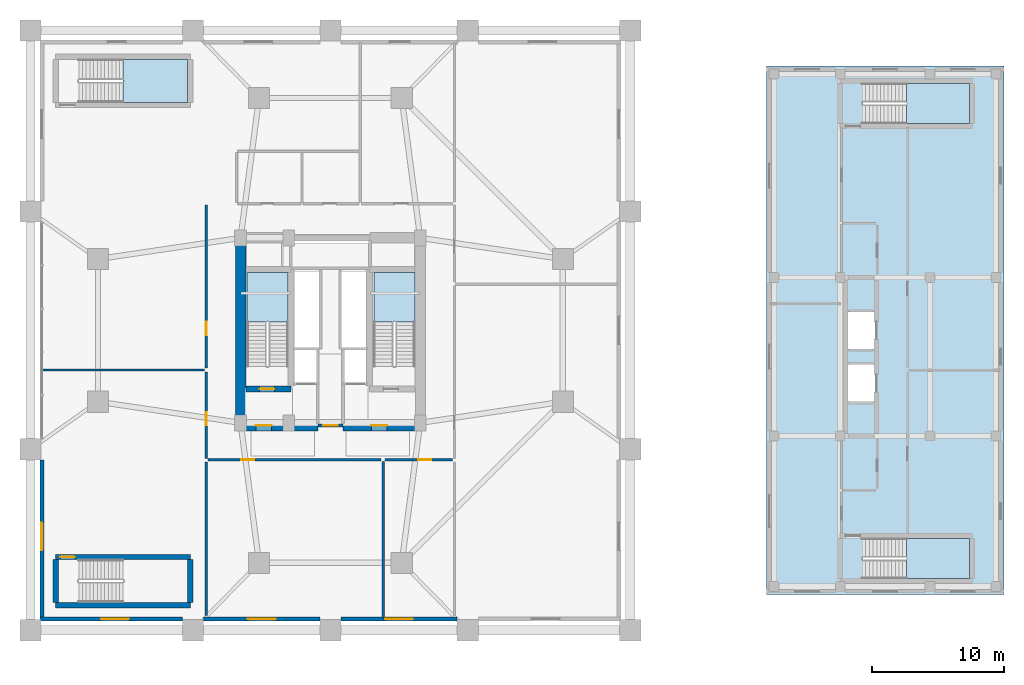
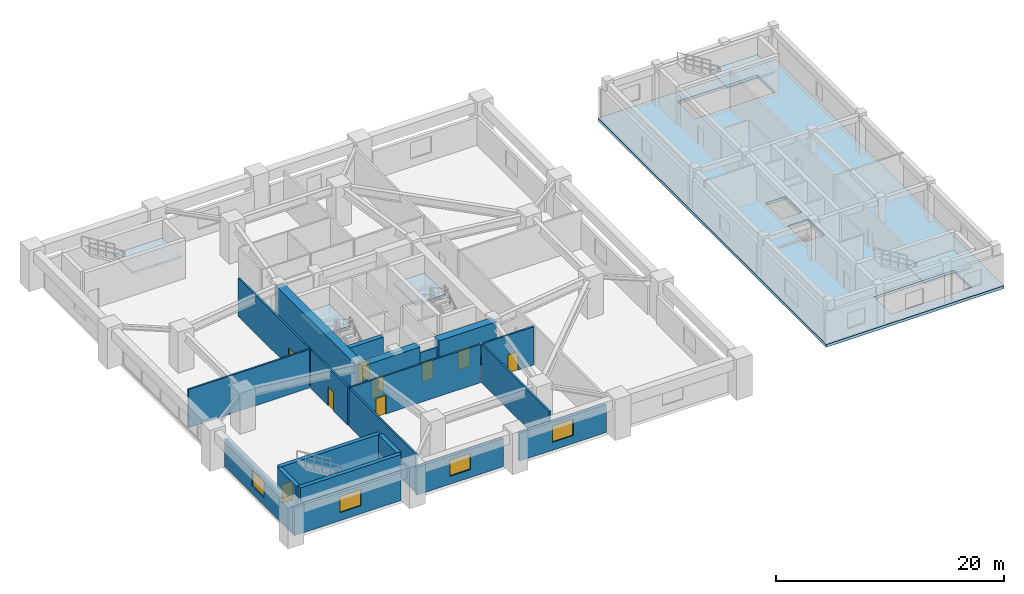
# One storey, part 8 of 16: 20 walls, 9 doors, 6 slabs, 4 windows, 13 openings, 5 elements without a shape of their own.
"""IFC4 building model written with IfcOpenShell, lengths in metres."""

from ifc_helpers import new_model, si_unit, direction, frame, frame_2d, origin, place, context, subcontext, project, spatial, polyline, rectangle, outline, extrude, source, transform, mapped, material, layer, layer_set, type_object, element, fill, aggregate, save


model = new_model("IFC4")

# Units and contexts
model_context = context("Model", 3, precision=1e-05, world=origin(), true_north=direction((0.0, 1.0)))
body_context = subcontext(model_context, "Body", "Model", "MODEL_VIEW")
ifc_project = project(units=[si_unit("LENGTHUNIT", "METRE"), si_unit("AREAUNIT", "SQUARE_METRE"), si_unit("VOLUMEUNIT", "CUBIC_METRE"), si_unit("PLANEANGLEUNIT", "RADIAN"), si_unit("MASSUNIT", "GRAM", prefix="KILO")], contexts=[model_context])

# Site, building, storey
site_placement = place(None, origin())
site = spatial("IfcSite", under=ifc_project, at=site_placement, CompositionType="ELEMENT")
building_placement = place(site_placement, origin())
building = spatial("IfcBuilding", under=site, at=building_placement, Name="Veraguas Prism Commons", CompositionType="ELEMENT")
storey_placement = place(building_placement, frame((0.0, 0.0, 9.60009765625)))
storey = spatial("IfcBuildingStorey", under=building, at=storey_placement, Name="L02", CompositionType="ELEMENT", Elevation=9.60009765625)

# Slab
ifc_material_1 = material(Name="Concrete C45/55", Category="concrete")
ifc_layer_1 = layer(ifc_material_1, 0.300048828125, Name="Podium Concourse and Clinic Slab RC 300", Category="concrete")
ifc_layer_set_1 = layer_set([ifc_layer_1], Name="Concrete C45/55")
slab_type_1 = type_object("IfcSlabType", Name="Podium Concourse and Clinic Slab RC 300", PredefinedType="FLOOR", material=ifc_layer_set_1)
slab_1_placement = place(storey_placement, frame((0.0, 0.0, -0.300048828125)))
element("IfcSlab", 1, at=slab_1_placement, inside=storey, type_object=slab_type_1, Name="Health Centre Floor Slab L02", PredefinedType="FLOOR", context=body_context, shape_type="SweptSolid", body=[
    extrude(outline(polyline([(57.0, 4.0), (75.0, 4.0), (75.0, 44.0), (57.0, 44.0), (57.0, 4.0)]), holes=[polyline([(64.280029296875, 5.199951171875), (72.39990234375, 5.199951171875), (72.39990234375, 8.25), (64.280029296875, 8.25), (64.280029296875, 5.199951171875)]), polyline([(64.280029296875, 39.659912109375), (72.39990234375, 39.659912109375), (72.39990234375, 42.7099609375), (64.280029296875, 42.7099609375), (64.280029296875, 39.659912109375)]), polyline([(63.199951171875, 18.60009765625), (65.25, 18.60009765625), (65.25, 21.39990234375), (63.199951171875, 21.39990234375), (63.199951171875, 18.60009765625)]), polyline([(63.199951171875, 22.60009765625), (65.25, 22.60009765625), (65.25, 25.39990234375), (63.199951171875, 25.39990234375), (63.199951171875, 22.60009765625)])]), origin(), (0.0, 0.0, 1.0), 0.300048828125),
])

# Stair, slab
ifc_material_2 = material(Name="Precast concrete C45/55", Category="concrete")
stair_type_1 = type_object("IfcStairType", Name="Dogleg Core Stair 1480W 26R 03", PredefinedType="HALF_TURN_STAIR", material=ifc_material_2)
stair_1_placement = place(storey_placement, origin())
stair_1 = element("IfcStair", 2, at=stair_1_placement, inside=storey, type_object=stair_type_1, Name="Protected Exit Stair ST-01 L02", PredefinedType="HALF_TURN_STAIR")
ifc_layer_2 = layer(ifc_material_2, 0.199951171875, Name="Precast Stair and Ramp Landing Slab 200", Category="concrete")
ifc_layer_set_2 = layer_set([ifc_layer_2], Name="Precast concrete C45/55")
slab_type_2 = type_object("IfcSlabType", Name="Precast Stair and Ramp Landing Slab 200", PredefinedType="LANDING", material=ifc_layer_set_2)
slab_2_placement = place(storey_placement, frame((0.0, 0.0, 2.0)))
slab_2 = element("IfcSlab", 3, at=slab_2_placement, type_object=slab_type_2, Name="ST-03 Landing 1", PredefinedType="LANDING", context=body_context, shape_type="SweptSolid", body=[
    extrude(outline(polyline([(20.800048828125, 24.639892578125), (20.800048828125, 28.39990234375), (17.68994140625, 28.39990234375), (17.68994140625, 24.639892578125), (20.800048828125, 24.639892578125)])), origin(), (0.0, 0.0, 1.0), 0.199951171875),
])
aggregate(stair_1, [slab_2])

stair_2_placement = place(storey_placement, origin())
stair_2 = element("IfcStair", 4, at=stair_2_placement, inside=storey, type_object=stair_type_1, Name="Protected Exit Stair ST-02 L02", PredefinedType="HALF_TURN_STAIR")
slab_3_placement = place(storey_placement, frame((0.0, 0.0, 2.0)))
slab_3 = element("IfcSlab", 5, at=slab_3_placement, type_object=slab_type_2, Name="ST-03 Landing 1", PredefinedType="LANDING", context=body_context, shape_type="SweptSolid", body=[
    extrude(outline(polyline([(30.39990234375, 24.639892578125), (30.39990234375, 28.39990234375), (27.2900390625, 28.39990234375), (27.2900390625, 24.639892578125), (30.39990234375, 24.639892578125)])), origin(), (0.0, 0.0, 1.0), 0.199951171875),
])
aggregate(stair_2, [slab_3])

stair_type_2 = type_object("IfcStairType", Name="Dogleg Core Stair 1550W 26R 11", PredefinedType="HALF_TURN_STAIR", material=ifc_material_2)
stair_3_placement = place(storey_placement, origin())
stair_3 = element("IfcStair", 6, at=stair_3_placement, inside=storey, type_object=stair_type_2, Name="Protected Exit Stair ST-M2 L02", PredefinedType="HALF_TURN_STAIR")
slab_4_placement = place(storey_placement, frame((0.0, 0.0, 2.0)))
slab_4 = element("IfcSlab", 7, at=slab_4_placement, type_object=slab_type_2, Name="ST-11 Landing 1", PredefinedType="LANDING", context=body_context, shape_type="SweptSolid", body=[
    extrude(outline(polyline([(8.31005859375, 41.260009765625), (13.199951171875, 41.260009765625), (13.199951171875, 44.510009765625), (8.31005859375, 44.510009765625), (8.31005859375, 41.260009765625)])), origin(), (0.0, 0.0, 1.0), 0.199951171875),
])
aggregate(stair_3, [slab_4])

stair_type_3 = type_object("IfcStairType", Name="Dogleg Core Stair 1450W 26R 14", PredefinedType="HALF_TURN_STAIR", material=ifc_material_2)
stair_4_placement = place(storey_placement, origin())
stair_4 = element("IfcStair", 8, at=stair_4_placement, inside=storey, type_object=stair_type_3, Name="Protected Exit Stair ST-H1 L02", PredefinedType="HALF_TURN_STAIR")
slab_5_placement = place(storey_placement, frame((0.0, 0.0, 2.0)))
slab_5 = element("IfcSlab", 9, at=slab_5_placement, type_object=slab_type_2, Name="ST-14 Landing 1", PredefinedType="LANDING", context=body_context, shape_type="SweptSolid", body=[
    extrude(outline(polyline([(67.610107421875, 5.199951171875), (72.39990234375, 5.199951171875), (72.39990234375, 8.25), (67.610107421875, 8.25), (67.610107421875, 5.199951171875)])), origin(), (0.0, 0.0, 1.0), 0.199951171875),
])
aggregate(stair_4, [slab_5])

stair_5_placement = place(storey_placement, origin())
stair_5 = element("IfcStair", 10, at=stair_5_placement, inside=storey, type_object=stair_type_3, Name="Protected Exit Stair ST-H2 L02", PredefinedType="HALF_TURN_STAIR")
slab_6_placement = place(storey_placement, frame((0.0, 0.0, 2.0)))
slab_6 = element("IfcSlab", 11, at=slab_6_placement, type_object=slab_type_2, Name="ST-14 Landing 1", PredefinedType="LANDING", context=body_context, shape_type="SweptSolid", body=[
    extrude(outline(polyline([(67.610107421875, 39.659912109375), (72.39990234375, 39.659912109375), (72.39990234375, 42.7099609375), (67.610107421875, 42.7099609375), (67.610107421875, 39.659912109375)])), origin(), (0.0, 0.0, 1.0), 0.199951171875),
])
aggregate(stair_5, [slab_6])

# Wall
ifc_material_3 = material(Name="Concrete C50/60", Category="concrete")
ifc_layer_3 = layer(ifc_material_3, 0.39990234375, Name="Clinic and Mid Core Shear Wall RC 400", Category="concrete")
ifc_layer_set_3 = layer_set([ifc_layer_3], Name="Concrete C50/60")
wall_type_1 = type_object("IfcWallType", Name="Clinic and Mid Core Shear Wall RC 400", PredefinedType="SHEAR", material=ifc_layer_set_3)
wall_1_placement = place(storey_placement, frame((3.199951171875, 3.199951171875, 0.0), z_axis=(0.0, 0.0, 1.0), x_axis=(1.0, 0.0, 0.0)))
element("IfcWall", 12, at=wall_1_placement, inside=storey, type_object=wall_type_1, Name="ST-M1 South Shear Wall L02", PredefinedType="SHEAR", context=body_context, shape_type="SweptSolid", body=[
    extrude(rectangle(XDim=10.199951171875, YDim=0.39990234375, at=frame_2d((5.10009765625, 0.0))), origin(), (0.0, 0.0, 1.0), 4.099853515625),
])

# Wall, opening, door
wall_2_placement = place(storey_placement, frame((3.199951171875, 6.85009765625, 0.0), z_axis=(0.0, 0.0, 1.0), x_axis=(1.0, 0.0, 0.0)))
wall_2 = element("IfcWall", 13, at=wall_2_placement, inside=storey, type_object=wall_type_1, Name="ST-M1 North Shear Wall L02", PredefinedType="SHEAR", context=body_context, shape_type="SweptSolid", body=[
    extrude(rectangle(XDim=10.199951171875, YDim=0.39990234375, at=frame_2d((5.10009765625, 0.0))), origin(), (0.0, 0.0, 1.0), 4.099853515625),
])
opening_1_placement = place(wall_2_placement, frame((0.35009765625, 0.0, 0.0)))
opening_1 = element("IfcOpeningElement", 14, at=opening_1_placement, cuts=wall_2, Name="Opening DR-05", PredefinedType="OPENING", context=body_context, shape_type="SweptSolid", body=[
    extrude(rectangle(XDim=1.10009765625, YDim=2.030029296875, at=frame_2d((0.550048828125, 1.01513671875))), frame((0.0, 0.2099609375, 0.0), z_axis=(0.0, -1.0, 0.0), x_axis=(1.0, 0.0, 0.0)), (0.0, 0.0, 1.0), 0.419921875),
])
ifc_material_4 = material(Name="Steel fire-rated door assembly", Category="steel")
door_type_1 = type_object("IfcDoorType", Name="Protected Stair and Refuge Fire Door 1100x2030", OperationType="NOTDEFINED", PredefinedType="DOOR", material=ifc_material_4)
shared_shape_1 = source(origin(), body_context, "Body", "SweptSolid", [
    extrude(rectangle(XDim=1.10009765625, YDim=2.030029296875, at=frame_2d((0.550048828125, 1.01513671875))), frame((0.0, 0.02490234375, 0.0), z_axis=(0.0, -1.0, 0.0), x_axis=(1.0, 0.0, 0.0)), (0.0, 0.0, 1.0), 0.050048828125),
])
door_1_placement = place(opening_1_placement, origin())
door_1 = element("IfcDoor", 15, at=door_1_placement, inside=storey, type_object=door_type_1, Name="Metro Stair ST-M1 Door L02", OperationType="SINGLE_SWING_LEFT", OverallHeight=2.030029296875, OverallWidth=1.10009765625, PredefinedType="DOOR", context=body_context, shape_type="MappedRepresentation", body=[
    mapped(shared_shape_1, transform((0.0, 0.0, 0.0), scale=1.0)),
])
fill(opening_1, door_1)

# Walls
for number, where, z_axis, x_axis, name in (
    (16, (3.199951171875, 3.39990234375, 0.0), (0.0, 0.0, 1.0), (0.0, 1.0, 0.0), "ST-M1 West Shear Wall L02"),
    (17, (13.39990234375, 3.39990234375, 0.0), (0.0, 0.0, 1.0), (0.0, 1.0, 0.0), "ST-M1 East Shear Wall L02"),
):
    element("IfcWall", number, at=place(storey_placement, frame(where, z_axis=z_axis, x_axis=x_axis)), inside=storey, type_object=wall_type_1, Name=name, PredefinedType="SHEAR", context=body_context, shape_type="SweptSolid", body=[
        extrude(rectangle(XDim=3.25, YDim=0.39990234375, at=frame_2d((1.625, 0.0))), origin(), (0.0, 0.0, 1.0), 4.099853515625),
    ])

# Wall, opening, door
ifc_material_5 = material(Name="Concrete C60/75", Category="concrete")
ifc_layer_4 = layer(ifc_material_5, 0.449951171875, Name="Core Internal Shear Wall Lower RC 450", Category="concrete")
ifc_layer_set_4 = layer_set([ifc_layer_4], Name="Concrete C60/75")
wall_type_2 = type_object("IfcWallType", Name="Core Internal Shear Wall Lower RC 450", PredefinedType="SHEAR", material=ifc_layer_set_4)
wall_3_placement = place(storey_placement, frame((17.60009765625, 19.574951171875, 0.0), z_axis=(0.0, 0.0, 1.0), x_axis=(1.0, 0.0, 0.0)))
wall_3 = element("IfcWall", 18, at=wall_3_placement, inside=storey, type_object=wall_type_2, Name="Stair ST-01 South Shear Wall L02", PredefinedType="SHEAR", context=body_context, shape_type="SweptSolid", body=[
    extrude(rectangle(XDim=3.4248046875, YDim=0.449951171875, at=frame_2d((1.71240234375, 0.0))), origin(), (0.0, 0.0, 1.0), 4.099853515625),
])
opening_2_placement = place(wall_3_placement, frame((1.050048828125, 0.0, 0.0)))
opening_2 = element("IfcOpeningElement", 19, at=opening_2_placement, cuts=wall_3, Name="Opening DR-05", PredefinedType="OPENING", context=body_context, shape_type="SweptSolid", body=[
    extrude(rectangle(XDim=1.10009765625, YDim=2.030029296875, at=frame_2d((0.550048828125, 1.01513671875))), frame((0.0, 0.23486328125, 0.0), z_axis=(0.0, -1.0, 0.0), x_axis=(1.0, 0.0, 0.0)), (0.0, 0.0, 1.0), 0.469970703125),
])
door_2_placement = place(opening_2_placement, origin())
door_2 = element("IfcDoor", 20, at=door_2_placement, inside=storey, type_object=door_type_1, Name="Stair ST-01 Enclosure Door L02", OperationType="SINGLE_SWING_LEFT", OverallHeight=2.030029296875, OverallWidth=1.10009765625, PredefinedType="DOOR", context=body_context, shape_type="MappedRepresentation", body=[
    mapped(shared_shape_1, transform((0.0, 0.0, 0.0), scale=1.0)),
])
fill(opening_2, door_2)

# Wall
ifc_layer_5 = layer(ifc_material_5, 0.800048828125, Name="Core Outer Shear Wall Lower RC 800", Category="concrete")
ifc_layer_set_5 = layer_set([ifc_layer_5], Name="Concrete C60/75")
wall_type_3 = type_object("IfcWallType", Name="Core Outer Shear Wall Lower RC 800", PredefinedType="SHEAR", material=ifc_layer_set_5)
wall_4_placement = place(storey_placement, frame((17.199951171875, 16.800048828125, 0.0), z_axis=(0.0, 0.0, 1.0), x_axis=(0.0, 1.0, 0.0)))
element("IfcWall", 21, at=wall_4_placement, inside=storey, type_object=wall_type_3, Name="Central Core West Shear Wall L02", PredefinedType="SHEAR", context=body_context, shape_type="SweptSolid", body=[
    extrude(rectangle(XDim=14.199951171875, YDim=0.800048828125, at=frame_2d((7.10009765625, 0.0))), origin(), (0.0, 0.0, 1.0), 4.099853515625),
])

# Wall, opening, door
wall_5_placement = place(storey_placement, frame((17.199951171875, 16.800048828125, 0.0), z_axis=(0.0, 0.0, 1.0), x_axis=(1.0, 0.0, 0.0)))
wall_5 = element("IfcWall", 22, at=wall_5_placement, inside=storey, type_object=wall_type_3, Name="Central Core South-West Shear Wall L02", PredefinedType="SHEAR", context=body_context, shape_type="SweptSolid", body=[
    extrude(rectangle(XDim=5.85009765625, YDim=0.800048828125, at=frame_2d((2.925048828125, 0.0))), origin(), (0.0, 0.0, 1.0), 4.099853515625),
])
opening_3_placement = place(wall_5_placement, frame((1.14990234375, 0.0, 0.0)))
opening_3 = element("IfcOpeningElement", 23, at=opening_3_placement, cuts=wall_5, Name="Opening DR-06", PredefinedType="OPENING", context=body_context, shape_type="SweptSolid", body=[
    extrude(rectangle(XDim=1.199951171875, YDim=2.030029296875, at=frame_2d((0.60009765625, 1.01513671875))), frame((0.0, 0.409912109375, 0.0), z_axis=(0.0, -1.0, 0.0), x_axis=(1.0, 0.0, 0.0)), (0.0, 0.0, 1.0), 0.820068359375),
])
door_type_2 = type_object("IfcDoorType", Name="Firefighting Lobby Smoke Door 1200x2030", OperationType="NOTDEFINED", PredefinedType="DOOR", material=ifc_material_4)
shared_shape_2 = source(origin(), body_context, "Body", "SweptSolid", [
    extrude(rectangle(XDim=1.199951171875, YDim=2.030029296875, at=frame_2d((0.60009765625, 1.01513671875))), frame((0.0, 0.02490234375, 0.0), z_axis=(0.0, -1.0, 0.0), x_axis=(1.0, 0.0, 0.0)), (0.0, 0.0, 1.0), 0.050048828125),
])
door_3_placement = place(opening_3_placement, origin())
door_3 = element("IfcDoor", 24, at=door_3_placement, inside=storey, type_object=door_type_2, Name="West FF Lobby Door L02", OperationType="SINGLE_SWING_RIGHT", OverallHeight=2.030029296875, OverallWidth=1.199951171875, PredefinedType="DOOR", context=body_context, shape_type="MappedRepresentation", body=[
    mapped(shared_shape_2, transform((0.0, 0.0, 0.0), scale=1.0)),
])
fill(opening_3, door_3)

wall_6_placement = place(storey_placement, frame((24.949951171875, 16.800048828125, 0.0), z_axis=(0.0, 0.0, 1.0), x_axis=(1.0, 0.0, 0.0)))
wall_6 = element("IfcWall", 25, at=wall_6_placement, inside=storey, type_object=wall_type_3, Name="Central Core South-East Shear Wall L02", PredefinedType="SHEAR", context=body_context, shape_type="SweptSolid", body=[
    extrude(rectangle(XDim=5.85009765625, YDim=0.800048828125, at=frame_2d((2.925048828125, 0.0))), origin(), (0.0, 0.0, 1.0), 4.099853515625),
])
opening_4_placement = place(wall_6_placement, frame((2.14990234375, 0.0, 0.0)))
opening_4 = element("IfcOpeningElement", 26, at=opening_4_placement, cuts=wall_6, Name="Opening DR-06", PredefinedType="OPENING", context=body_context, shape_type="SweptSolid", body=[
    extrude(rectangle(XDim=1.199951171875, YDim=2.030029296875, at=frame_2d((0.60009765625, 1.01513671875))), frame((0.0, 0.409912109375, 0.0), z_axis=(0.0, -1.0, 0.0), x_axis=(1.0, 0.0, 0.0)), (0.0, 0.0, 1.0), 0.820068359375),
])
door_4_placement = place(opening_4_placement, origin())
door_4 = element("IfcDoor", 27, at=door_4_placement, inside=storey, type_object=door_type_2, Name="East FF Lobby Door L02", OperationType="SINGLE_SWING_RIGHT", OverallHeight=2.030029296875, OverallWidth=1.199951171875, PredefinedType="DOOR", context=body_context, shape_type="MappedRepresentation", body=[
    mapped(shared_shape_2, transform((0.0, 0.0, 0.0), scale=1.0)),
])
fill(opening_4, door_4)

ifc_material_6 = material(Name="Autoclaved aerated masonry block 10 MPa", Category="masonry")
ifc_layer_6 = layer(ifc_material_6, 0.179931640625, Name="Corridor and Inter-Tenancy Partition 180", Category="masonry")
ifc_layer_set_6 = layer_set([ifc_layer_6], Name="Autoclaved aerated masonry block 10 MPa")
wall_type_4 = type_object("IfcWallType", Name="Corridor and Inter-Tenancy Partition 180", PredefinedType="PARTITIONING", material=ifc_layer_set_6)
wall_7_placement = place(storey_placement, frame((14.60009765625, 14.300048828125, 0.0), z_axis=(0.0, 0.0, 1.0), x_axis=(0.0, 1.0, 0.0)))
wall_7 = element("IfcWall", 28, at=wall_7_placement, inside=storey, type_object=wall_type_4, Name="WL-L02-PDPT01", PredefinedType="PARTITIONING", context=body_context, shape_type="SweptSolid", body=[
    extrude(rectangle(XDim=6.550048828125, YDim=0.179931640625, at=frame_2d((3.27490234375, 0.0))), origin(), (0.0, 0.0, 1.0), 4.099853515625),
])
opening_5_placement = place(wall_7_placement, frame((2.5, 0.0, 0.0)))
opening_5 = element("IfcOpeningElement", 29, at=opening_5_placement, cuts=wall_7, Name="Opening DR-13", PredefinedType="OPENING", context=body_context, shape_type="SweptSolid", body=[
    extrude(rectangle(XDim=1.0, YDim=2.010009765625, at=frame_2d((0.5, 1.0048828125))), frame((0.0, 0.099853515625, 0.0), z_axis=(0.0, -1.0, 0.0), x_axis=(1.0, 0.0, 0.0)), (0.0, 0.0, 1.0), 0.199951171875),
])
door_type_3 = type_object("IfcDoorType", Name="Core Accessible WC and Clinic Fire Door 1000x2010", OperationType="NOTDEFINED", PredefinedType="DOOR", material=ifc_material_4)
shared_shape_3 = source(origin(), body_context, "Body", "SweptSolid", [
    extrude(rectangle(XDim=1.0, YDim=2.010009765625, at=frame_2d((0.5, 1.0048828125))), frame((0.0, 0.02490234375, 0.0), z_axis=(0.0, -1.0, 0.0), x_axis=(1.0, 0.0, 0.0)), (0.0, 0.0, 1.0), 0.050048828125),
])
door_5_placement = place(opening_5_placement, origin())
door_5 = element("IfcDoor", 30, at=door_5_placement, inside=storey, type_object=door_type_3, Name="Vocational Training Studio Door", OperationType="SINGLE_SWING_LEFT", OverallHeight=2.010009765625, OverallWidth=1.0, PredefinedType="DOOR", context=body_context, shape_type="MappedRepresentation", body=[
    mapped(shared_shape_3, transform((0.0, 0.0, 0.0), scale=1.0)),
])
fill(opening_5, door_5)

wall_8_placement = place(storey_placement, frame((14.60009765625, 21.14990234375, 0.0), z_axis=(0.0, 0.0, 1.0), x_axis=(0.0, 1.0, 0.0)))
wall_8 = element("IfcWall", 31, at=wall_8_placement, inside=storey, type_object=wall_type_4, Name="WL-L02-PDPT02", PredefinedType="PARTITIONING", context=body_context, shape_type="SweptSolid", body=[
    extrude(rectangle(XDim=12.35009765625, YDim=0.179931640625, at=frame_2d((6.175048828125, 0.0))), origin(), (0.0, 0.0, 1.0), 4.099853515625),
])
opening_6_placement = place(wall_8_placement, frame((2.5, 0.0, 0.0)))
opening_6 = element("IfcOpeningElement", 32, at=opening_6_placement, cuts=wall_8, Name="Opening DR-13", PredefinedType="OPENING", context=body_context, shape_type="SweptSolid", body=[
    extrude(rectangle(XDim=1.0, YDim=2.010009765625, at=frame_2d((0.5, 1.0048828125))), frame((0.0, 0.099853515625, 0.0), z_axis=(0.0, -1.0, 0.0), x_axis=(1.0, 0.0, 0.0)), (0.0, 0.0, 1.0), 0.199951171875),
])
door_6_placement = place(opening_6_placement, origin())
door_6 = element("IfcDoor", 33, at=door_6_placement, inside=storey, type_object=door_type_3, Name="Digital Fab-Lab Classroom Door", OperationType="SINGLE_SWING_RIGHT", OverallHeight=2.010009765625, OverallWidth=1.0, PredefinedType="DOOR", context=body_context, shape_type="MappedRepresentation", body=[
    mapped(shared_shape_3, transform((0.0, 0.0, 0.0), scale=1.0)),
])
fill(opening_6, door_6)

# Walls
wall_9_placement = place(storey_placement, frame((2.219970703125, 21.0, 0.0), z_axis=(0.0, 0.0, 1.0), x_axis=(1.0, 0.0, 0.0)))
element("IfcWall", 34, at=wall_9_placement, inside=storey, type_object=wall_type_4, Name="WL-L02-PDPT03", PredefinedType="PARTITIONING", context=body_context, shape_type="SweptSolid", body=[
    extrude(rectangle(XDim=12.260009765625, YDim=0.179931640625, at=frame_2d((6.1298828125, 0.0))), origin(), (0.0, 0.0, 1.0), 4.099853515625),
])
wall_10_placement = place(storey_placement, frame((14.60009765625, 2.39990234375, 0.0), z_axis=(0.0, 0.0, 1.0), x_axis=(0.0, 1.0, 0.0)))
element("IfcWall", 35, at=wall_10_placement, inside=storey, type_object=wall_type_4, Name="WL-L02-PDPT03S", PredefinedType="PARTITIONING", context=body_context, shape_type="SweptSolid", body=[
    extrude(rectangle(XDim=11.650146484375, YDim=0.179931640625, at=frame_2d((5.8251953125, 0.0))), origin(), (0.0, 0.0, 1.0), 4.099853515625),
])

# Wall, opening, door
wall_11_placement = place(storey_placement, frame((14.75, 14.199951171875, 0.0), z_axis=(0.0, 0.0, 1.0), x_axis=(1.0, 0.0, 0.0)))
wall_11 = element("IfcWall", 36, at=wall_11_placement, inside=storey, type_object=wall_type_4, Name="WL-L02-PDPT04", PredefinedType="PARTITIONING", context=body_context, shape_type="SweptSolid", body=[
    extrude(rectangle(XDim=13.10009765625, YDim=0.179931640625, at=frame_2d((6.550048828125, 0.0))), origin(), (0.0, 0.0, 1.0), 4.099853515625),
])
opening_7_placement = place(wall_11_placement, frame((2.5, 0.0, 0.0)))
opening_7 = element("IfcOpeningElement", 37, at=opening_7_placement, cuts=wall_11, Name="Opening DR-13", PredefinedType="OPENING", context=body_context, shape_type="SweptSolid", body=[
    extrude(rectangle(XDim=1.0, YDim=2.010009765625, at=frame_2d((0.5, 1.0048828125))), frame((0.0, 0.099853515625, 0.0), z_axis=(0.0, -1.0, 0.0), x_axis=(1.0, 0.0, 0.0)), (0.0, 0.0, 1.0), 0.199951171875),
])
door_7_placement = place(opening_7_placement, origin())
door_7 = element("IfcDoor", 38, at=door_7_placement, inside=storey, type_object=door_type_3, Name="Co-op Social Services Suite Door", OperationType="SINGLE_SWING_LEFT", OverallHeight=2.010009765625, OverallWidth=1.0, PredefinedType="DOOR", context=body_context, shape_type="MappedRepresentation", body=[
    mapped(shared_shape_3, transform((0.0, 0.0, 0.0), scale=1.0)),
])
fill(opening_7, door_7)

wall_12_placement = place(storey_placement, frame((28.14990234375, 14.199951171875, 0.0), z_axis=(0.0, 0.0, 1.0), x_axis=(1.0, 0.0, 0.0)))
wall_12 = element("IfcWall", 39, at=wall_12_placement, inside=storey, type_object=wall_type_4, Name="WL-L02-PDPT05", PredefinedType="PARTITIONING", context=body_context, shape_type="SweptSolid", body=[
    extrude(rectangle(XDim=5.10009765625, YDim=0.179931640625, at=frame_2d((2.550048828125, 0.0))), origin(), (0.0, 0.0, 1.0), 4.099853515625),
])
opening_8_placement = place(wall_12_placement, frame((2.5, 0.0, 0.0)))
opening_8 = element("IfcOpeningElement", 40, at=opening_8_placement, cuts=wall_12, Name="Opening DR-13", PredefinedType="OPENING", context=body_context, shape_type="SweptSolid", body=[
    extrude(rectangle(XDim=1.0, YDim=2.010009765625, at=frame_2d((0.5, 1.0048828125))), frame((0.0, 0.099853515625, 0.0), z_axis=(0.0, -1.0, 0.0), x_axis=(1.0, 0.0, 0.0)), (0.0, 0.0, 1.0), 0.199951171875),
])
door_8_placement = place(opening_8_placement, origin())
door_8 = element("IfcDoor", 41, at=door_8_placement, inside=storey, type_object=door_type_3, Name="Tenants Legal Clinic Door", OperationType="SINGLE_SWING_RIGHT", OverallHeight=2.010009765625, OverallWidth=1.0, PredefinedType="DOOR", context=body_context, shape_type="MappedRepresentation", body=[
    mapped(shared_shape_3, transform((0.0, 0.0, 0.0), scale=1.0)),
])
fill(opening_8, door_8)

# Wall
wall_13_placement = place(storey_placement, frame((28.0, 2.219970703125, 0.0), z_axis=(0.0, 0.0, 1.0), x_axis=(0.0, 1.0, 0.0)))
element("IfcWall", 42, at=wall_13_placement, inside=storey, type_object=wall_type_4, Name="WL-L02-PDPT06", PredefinedType="PARTITIONING", context=body_context, shape_type="SweptSolid", body=[
    extrude(rectangle(XDim=11.860107421875, YDim=0.179931640625, at=frame_2d((5.93017578125, 0.0))), origin(), (0.0, 0.0, 1.0), 4.099853515625),
])

# Wall, opening, window
ifc_material_7 = material(Name="Precast concrete C40/50", Category="concrete")
ifc_layer_7 = layer(ifc_material_7, 0.300048828125, Name="External Precast Facade Wall 300", Category="concrete")
ifc_layer_set_7 = layer_set([ifc_layer_7], Name="Precast concrete C40/50")
wall_type_5 = type_object("IfcWallType", Name="External Precast Facade Wall 300", PredefinedType="SOLIDWALL", material=ifc_layer_set_7)
wall_14_placement = place(storey_placement, frame((2.0, 2.14990234375, 0.0), z_axis=(0.0, 0.0, 1.0), x_axis=(1.0, 0.0, 0.0)))
wall_14 = element("IfcWall", 43, at=wall_14_placement, inside=storey, type_object=wall_type_5, Name="Podium South Facade Wall L02-01", PredefinedType="SOLIDWALL", context=body_context, shape_type="SweptSolid", body=[
    extrude(rectangle(XDim=10.800048828125, YDim=0.300048828125, at=frame_2d((5.39990234375, 0.0))), origin(), (0.0, 0.0, 1.0), 3.0),
])
opening_9_placement = place(wall_14_placement, frame((4.64990234375, 0.0, 0.85009765625)))
opening_9 = element("IfcOpeningElement", 44, at=opening_9_placement, cuts=wall_14, Name="Opening WN-07", PredefinedType="OPENING", context=body_context, shape_type="SweptSolid", body=[
    extrude(rectangle(XDim=2.10009765625, YDim=1.75, at=frame_2d((1.050048828125, 0.875))), frame((0.0, 0.159912109375, 0.0), z_axis=(0.0, -1.0, 0.0), x_axis=(1.0, 0.0, 0.0)), (0.0, 0.0, 1.0), 0.320068359375),
])
ifc_material_8 = material(Name="Laminated low-e glass", Category="glass")
window_type = type_object("IfcWindowType", Name="Podium Community Window 2100x1750", PartitioningType="DOUBLE_PANEL_VERTICAL", PredefinedType="WINDOW", material=ifc_material_8)
shared_shape_4 = source(origin(), body_context, "Body", "SweptSolid", [
    extrude(rectangle(XDim=2.10009765625, YDim=1.75, at=frame_2d((1.050048828125, 0.875))), frame((0.0, 0.030029296875, 0.0), z_axis=(0.0, -1.0, 0.0), x_axis=(1.0, 0.0, 0.0)), (0.0, 0.0, 1.0), 0.06005859375),
])
window_1_placement = place(opening_9_placement, origin())
window_1 = element("IfcWindow", 45, at=window_1_placement, inside=storey, type_object=window_type, Name="Podium South Window L02-01", OverallHeight=1.75, OverallWidth=2.10009765625, PartitioningType="DOUBLE_PANEL_VERTICAL", PredefinedType="WINDOW", context=body_context, shape_type="MappedRepresentation", body=[
    mapped(shared_shape_4, transform((0.0, 0.0, 0.0), scale=1.0)),
])
fill(opening_9, window_1)

wall_15_placement = place(storey_placement, frame((14.39990234375, 2.14990234375, 0.0), z_axis=(0.0, 0.0, 1.0), x_axis=(1.0, 0.0, 0.0)))
wall_15 = element("IfcWall", 46, at=wall_15_placement, inside=storey, type_object=wall_type_5, Name="Podium South Facade Wall L02-02", PredefinedType="SOLIDWALL", context=body_context, shape_type="SweptSolid", body=[
    extrude(rectangle(XDim=8.800048828125, YDim=0.300048828125, at=frame_2d((4.39990234375, 0.0))), origin(), (0.0, 0.0, 1.0), 3.0),
])
opening_10_placement = place(wall_15_placement, frame((3.35009765625, 0.0, 0.85009765625)))
opening_10 = element("IfcOpeningElement", 47, at=opening_10_placement, cuts=wall_15, Name="Opening WN-07", PredefinedType="OPENING", context=body_context, shape_type="SweptSolid", body=[
    extrude(rectangle(XDim=2.10009765625, YDim=1.75, at=frame_2d((1.050048828125, 0.875))), frame((0.0, 0.159912109375, 0.0), z_axis=(0.0, -1.0, 0.0), x_axis=(1.0, 0.0, 0.0)), (0.0, 0.0, 1.0), 0.320068359375),
])
window_2_placement = place(opening_10_placement, origin())
window_2 = element("IfcWindow", 48, at=window_2_placement, inside=storey, type_object=window_type, Name="Podium South Window L02-02", OverallHeight=1.75, OverallWidth=2.10009765625, PartitioningType="DOUBLE_PANEL_VERTICAL", PredefinedType="WINDOW", context=body_context, shape_type="MappedRepresentation", body=[
    mapped(shared_shape_4, transform((0.0, 0.0, 0.0), scale=1.0)),
])
fill(opening_10, window_2)

wall_16_placement = place(storey_placement, frame((24.800048828125, 2.14990234375, 0.0), z_axis=(0.0, 0.0, 1.0), x_axis=(1.0, 0.0, 0.0)))
wall_16 = element("IfcWall", 49, at=wall_16_placement, inside=storey, type_object=wall_type_5, Name="Podium South Facade Wall L02-03", PredefinedType="SOLIDWALL", context=body_context, shape_type="SweptSolid", body=[
    extrude(rectangle(XDim=8.800048828125, YDim=0.300048828125, at=frame_2d((4.39990234375, 0.0))), origin(), (0.0, 0.0, 1.0), 3.0),
])
opening_11_placement = place(wall_16_placement, frame((3.35009765625, 0.0, 0.85009765625)))
opening_11 = element("IfcOpeningElement", 50, at=opening_11_placement, cuts=wall_16, Name="Opening WN-07", PredefinedType="OPENING", context=body_context, shape_type="SweptSolid", body=[
    extrude(rectangle(XDim=2.10009765625, YDim=1.75, at=frame_2d((1.050048828125, 0.875))), frame((0.0, 0.159912109375, 0.0), z_axis=(0.0, -1.0, 0.0), x_axis=(1.0, 0.0, 0.0)), (0.0, 0.0, 1.0), 0.320068359375),
])
window_3_placement = place(opening_11_placement, origin())
window_3 = element("IfcWindow", 51, at=window_3_placement, inside=storey, type_object=window_type, Name="Podium South Window L02-03", OverallHeight=1.75, OverallWidth=2.10009765625, PartitioningType="DOUBLE_PANEL_VERTICAL", PredefinedType="WINDOW", context=body_context, shape_type="MappedRepresentation", body=[
    mapped(shared_shape_4, transform((0.0, 0.0, 0.0), scale=1.0)),
])
fill(opening_11, window_3)

wall_17_placement = place(storey_placement, frame((2.14990234375, 14.199951171875, 0.0), z_axis=(0.0, 0.0, 1.0), x_axis=(0.0, -1.0, 0.0)))
wall_17 = element("IfcWall", 52, at=wall_17_placement, inside=storey, type_object=wall_type_5, Name="Podium West Facade Wall L02-03", PredefinedType="SOLIDWALL", context=body_context, shape_type="SweptSolid", body=[
    extrude(rectangle(XDim=11.89990234375, YDim=0.300048828125, at=frame_2d((5.949951171875, 0.0))), origin(), (0.0, 0.0, 1.0), 3.0),
])
opening_12_placement = place(wall_17_placement, frame((4.75, 0.0, 0.85009765625)))
opening_12 = element("IfcOpeningElement", 53, at=opening_12_placement, cuts=wall_17, Name="Opening WN-07", PredefinedType="OPENING", context=body_context, shape_type="SweptSolid", body=[
    extrude(rectangle(XDim=2.10009765625, YDim=1.75, at=frame_2d((1.050048828125, 0.875))), frame((0.0, 0.159912109375, 0.0), z_axis=(0.0, -1.0, 0.0), x_axis=(1.0, 0.0, 0.0)), (0.0, 0.0, 1.0), 0.320068359375),
])
window_4_placement = place(opening_12_placement, origin())
window_4 = element("IfcWindow", 54, at=window_4_placement, inside=storey, type_object=window_type, Name="Podium West Window L02-03", OverallHeight=1.75, OverallWidth=2.10009765625, PartitioningType="DOUBLE_PANEL_VERTICAL", PredefinedType="WINDOW", context=body_context, shape_type="MappedRepresentation", body=[
    mapped(shared_shape_4, transform((0.0, 0.0, 0.0), scale=1.0)),
])
fill(opening_12, window_4)

# Wall, opening, door
ifc_layer_8 = layer(ifc_material_6, 0.199951171875, Name="Rated Shaft and Lobby Block Wall 200", Category="masonry")
ifc_layer_set_8 = layer_set([ifc_layer_8], Name="Autoclaved aerated masonry block 10 MPa")
wall_type_6 = type_object("IfcWallType", Name="Rated Shaft and Lobby Block Wall 200", PredefinedType="SOLIDWALL", material=ifc_layer_set_8)
wall_18_placement = place(storey_placement, frame((23.050048828125, 16.800048828125, 0.0), z_axis=(0.0, 0.0, 1.0), x_axis=(1.0, 0.0, 0.0)))
wall_18 = element("IfcWall", 55, at=wall_18_placement, inside=storey, type_object=wall_type_6, Name="Central Core Lobby Entrance Wall L02", PredefinedType="SOLIDWALL", context=body_context, shape_type="SweptSolid", body=[
    extrude(rectangle(XDim=1.89990234375, YDim=0.199951171875, at=frame_2d((0.949951171875, 0.0))), origin(), (0.0, 0.0, 1.0), 3.25),
])
opening_13_placement = place(wall_18_placement, frame((0.39990234375, 0.0, 0.0)))
opening_13 = element("IfcOpeningElement", 56, at=opening_13_placement, cuts=wall_18, Name="Opening DR-05", PredefinedType="OPENING", context=body_context, shape_type="SweptSolid", body=[
    extrude(rectangle(XDim=1.10009765625, YDim=2.030029296875, at=frame_2d((0.550048828125, 1.01513671875))), frame((0.0, 0.10986328125, 0.0), z_axis=(0.0, -1.0, 0.0), x_axis=(1.0, 0.0, 0.0)), (0.0, 0.0, 1.0), 0.219970703125),
])
door_9_placement = place(opening_13_placement, origin())
door_9 = element("IfcDoor", 57, at=door_9_placement, inside=storey, type_object=door_type_1, Name="Central Lobby Door L02", OperationType="SINGLE_SWING_LEFT", OverallHeight=2.030029296875, OverallWidth=1.10009765625, PredefinedType="DOOR", context=body_context, shape_type="MappedRepresentation", body=[
    mapped(shared_shape_1, transform((0.0, 0.0, 0.0), scale=1.0)),
])
fill(opening_13, door_9)

save(model, "model.ifc")
